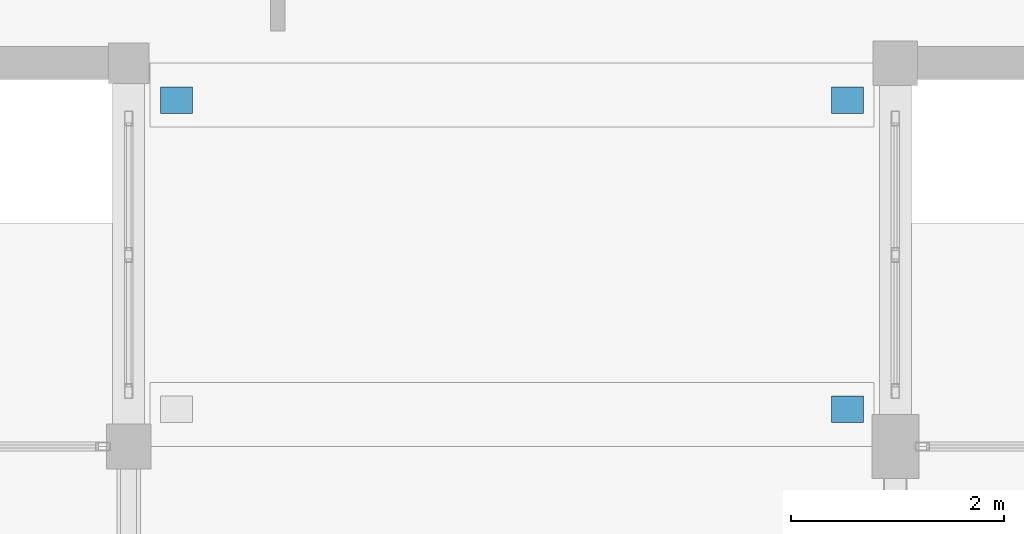
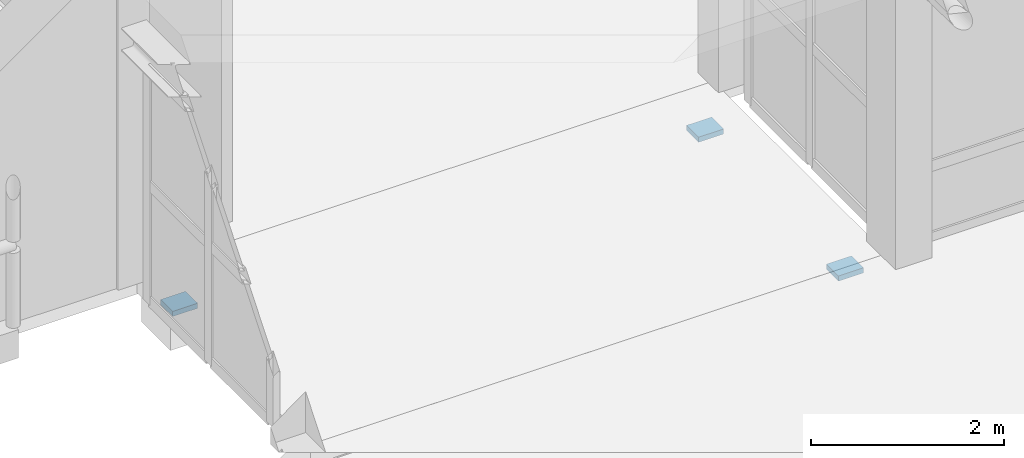
# One storey, part 95 of 112: 3 discrete accessories.
"""IFC4 building model written with IfcOpenShell, lengths in metres."""

from ifc_helpers import new_model, si_unit, direction, frame, origin, origin_2d, place, context, subcontext, project, spatial, rectangle, extrude, material, type_object, element, save


model = new_model("IFC4")

# Units and contexts
model_context = context("Model", 3, precision=1e-05, world=origin(), true_north=direction((0.0, 1.0)))
body_context = subcontext(model_context, "Body", "Model", "MODEL_VIEW")
ifc_project = project(units=[si_unit("LENGTHUNIT", "METRE"), si_unit("AREAUNIT", "SQUARE_METRE"), si_unit("VOLUMEUNIT", "CUBIC_METRE"), si_unit("PLANEANGLEUNIT", "RADIAN"), si_unit("MASSUNIT", "GRAM", prefix="KILO")], contexts=[model_context])

# Site, building, storey
site_placement = place(None, origin())
site = spatial("IfcSite", under=ifc_project, at=site_placement, CompositionType="ELEMENT")
building_placement = place(site_placement, origin())
building = spatial("IfcBuilding", under=site, at=building_placement, Name="Mazaris Harbour Polytechnic", CompositionType="ELEMENT")
storey_placement = place(building_placement, frame((0.0, 0.0, 13.800048828125)))
storey = spatial("IfcBuildingStorey", under=building, at=storey_placement, Name="L03", CompositionType="ELEMENT", Elevation=13.800048828125)

# Discrete accessories
ifc_material = material(Name="Steel S355", Category="steel")
discrete_accessory_type = type_object("IfcDiscreteAccessoryType", Name="PTFE Sliding Bridge Bearing 300x250x65 Exterior", PredefinedType="BRACKET", material=ifc_material)
for number, where, z_axis, x_axis, name in (
    (1, (136.35009765625, 43.550048828125, -0.330078125), (0.0, 0.0, 1.0), (1.0, 0.0, 0.0), "PB-NE L03 PTFE Sliding Bearing S2"),
    (2, (130.050048828125, 46.449951171875, -0.330078125), (0.0, 0.0, 1.0), (1.0, 0.0, 0.0), "PB-NE L03 PTFE Sliding Bearing N1"),
    (3, (136.35009765625, 46.449951171875, -0.330078125), (0.0, 0.0, 1.0), (1.0, 0.0, 0.0), "PB-NE L03 PTFE Sliding Bearing N2"),
):
    element("IfcDiscreteAccessory", number, at=place(storey_placement, frame(where, z_axis=z_axis, x_axis=x_axis)), inside=storey, type_object=discrete_accessory_type, Name=name, PredefinedType="BRACKET", context=body_context, shape_type="SweptSolid", body=[
        extrude(rectangle(XDim=0.300048828125, YDim=0.25, at=origin_2d()), origin(), (0.0, 0.0, 1.0), 0.06494140625),
    ])

save(model, "model.ifc")
